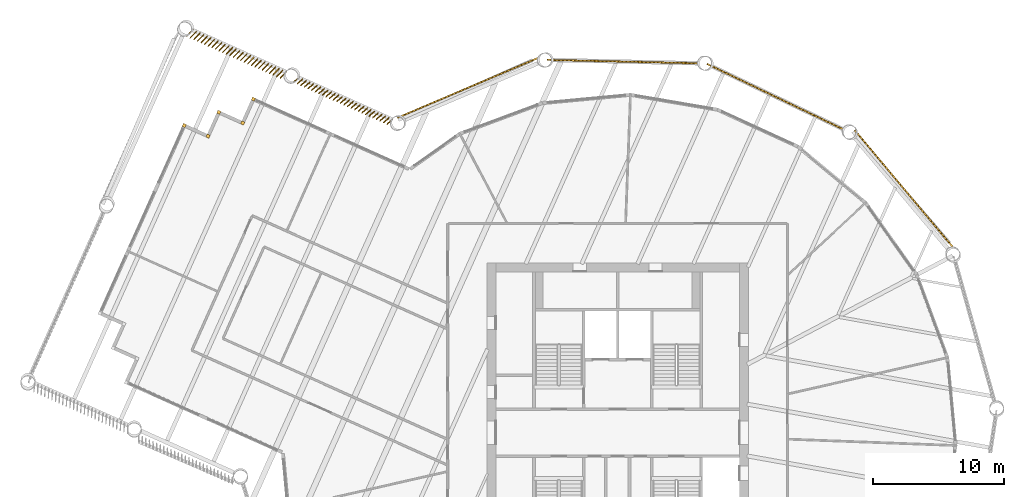
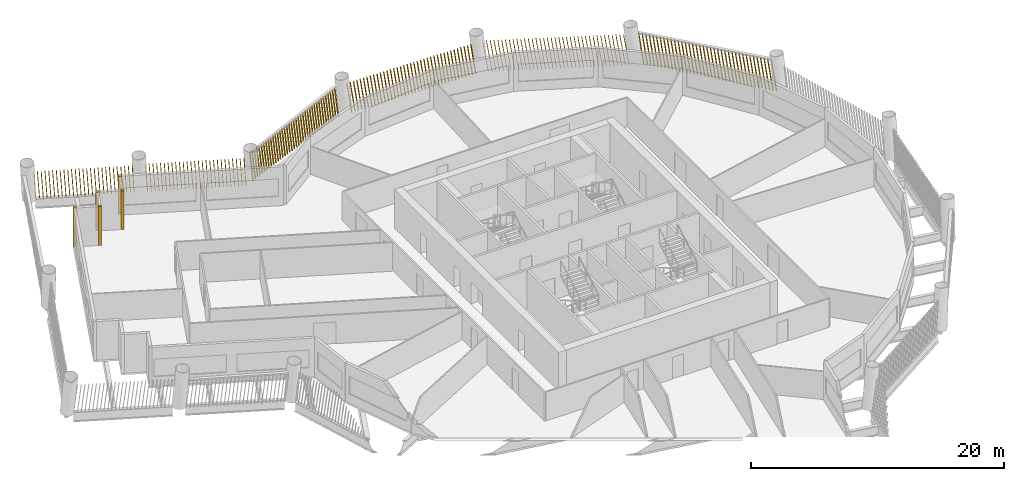
# One storey, part 13 of 14: 11 shading devices.
"""IFC4 building model written with IfcOpenShell, lengths in metres."""

from ifc_helpers import new_model, si_unit, direction, frame, frame_2d, origin, origin_2d, place, context, subcontext, project, spatial, rectangle, composite_profile, extrude, material, type_object, element, save


model = new_model("IFC4")

# Units and contexts
model_context = context("Model", 3, precision=1e-05, world=origin(), true_north=direction((0.0, 1.0)))
body_context = subcontext(model_context, "Body", "Model", "MODEL_VIEW")
ifc_project = project(units=[si_unit("LENGTHUNIT", "METRE"), si_unit("AREAUNIT", "SQUARE_METRE"), si_unit("VOLUMEUNIT", "CUBIC_METRE"), si_unit("PLANEANGLEUNIT", "RADIAN"), si_unit("MASSUNIT", "GRAM", prefix="KILO")], contexts=[model_context])

# Site, building, storey
site_placement = place(None, origin())
site = spatial("IfcSite", under=ifc_project, at=site_placement, CompositionType="ELEMENT")
building_placement = place(site_placement, origin())
building = spatial("IfcBuilding", under=site, at=building_placement, Name="Tarsis Ring Headquarters", CompositionType="ELEMENT")
storey_placement = place(building_placement, frame((0.0, 0.0, 182.699951171875)))
storey = spatial("IfcBuildingStorey", under=building, at=storey_placement, Name="L42", CompositionType="ELEMENT", Elevation=182.699951171875)

# Shading devices
ifc_material = material(Name="Terracotta baguette", Category="masonry")
shading_device_type_1 = type_object("IfcShadingDeviceType", Name="Terracotta baguette screen", PredefinedType="USERDEFINED", material=ifc_material)
shading_device_1_placement = place(storey_placement, frame((25.652099609375, 14.18994140625, 0.0), z_axis=(0.0, 0.0, 1.0), x_axis=(-0.64295170917, 0.76590341834, 0.0)))
element("IfcShadingDevice", 1, at=shading_device_1_placement, inside=storey, type_object=shading_device_type_1, Name="Baguette screen L42-11", ObjectType="Terracotta baguette screen", PredefinedType="USERDEFINED", context=body_context, shape_type="SweptSolid", body=[
    extrude(composite_profile([rectangle(XDim=0.06005859375, YDim=0.1201171875, at=frame_2d((0.030029296875, 0.0))), rectangle(XDim=0.06005859375, YDim=0.1201171875, at=frame_2d((0.33251953125, 0.0))), rectangle(XDim=0.06005859375, YDim=0.1201171875, at=frame_2d((0.634765625, 0.0))), rectangle(XDim=0.06005859375, YDim=0.1201171875, at=frame_2d((0.937255859375, 0.0))), rectangle(XDim=0.06005859375, YDim=0.1201171875, at=frame_2d((1.239501953125, 0.0))), rectangle(XDim=0.06005859375, YDim=0.1201171875, at=frame_2d((1.5419921875, 0.0))), rectangle(XDim=0.06005859375, YDim=0.1201171875, at=frame_2d((1.844482421875, 0.0))), rectangle(XDim=0.06005859375, YDim=0.1201171875, at=frame_2d((2.146728515625, 0.0))), rectangle(XDim=0.06005859375, YDim=0.1201171875, at=frame_2d((2.44921875, 0.0))), rectangle(XDim=0.06005859375, YDim=0.1201171875, at=frame_2d((2.751708984375, 0.0))), rectangle(XDim=0.06005859375, YDim=0.1201171875, at=frame_2d((3.053955078125, 0.0))), rectangle(XDim=0.06005859375, YDim=0.1201171875, at=frame_2d((3.3564453125, 0.0))), rectangle(XDim=0.06005859375, YDim=0.1201171875, at=frame_2d((3.65869140625, 0.0))), rectangle(XDim=0.06005859375, YDim=0.1201171875, at=frame_2d((3.961181640625, 0.0))), rectangle(XDim=0.06005859375, YDim=0.1201171875, at=frame_2d((4.263671875, 0.0))), rectangle(XDim=0.06005859375, YDim=0.1201171875, at=frame_2d((4.56591796875, 0.0))), rectangle(XDim=0.06005859375, YDim=0.1201171875, at=frame_2d((4.868408203125, 0.0))), rectangle(XDim=0.06005859375, YDim=0.1201171875, at=frame_2d((5.1708984375, 0.0))), rectangle(XDim=0.06005859375, YDim=0.1201171875, at=frame_2d((5.47314453125, 0.0))), rectangle(XDim=0.06005859375, YDim=0.1201171875, at=frame_2d((5.775634765625, 0.0))), rectangle(XDim=0.06005859375, YDim=0.1201171875, at=frame_2d((6.077880859375, 0.0))), rectangle(XDim=0.06005859375, YDim=0.1201171875, at=frame_2d((6.38037109375, 0.0))), rectangle(XDim=0.06005859375, YDim=0.1201171875, at=frame_2d((6.682861328125, 0.0))), rectangle(XDim=0.06005859375, YDim=0.1201171875, at=frame_2d((6.985107421875, 0.0))), rectangle(XDim=0.06005859375, YDim=0.1201171875, at=frame_2d((7.28759765625, 0.0))), rectangle(XDim=0.06005859375, YDim=0.1201171875, at=frame_2d((7.590087890625, 0.0))), rectangle(XDim=0.06005859375, YDim=0.1201171875, at=frame_2d((7.892333984375, 0.0))), rectangle(XDim=0.06005859375, YDim=0.1201171875, at=frame_2d((8.19482421875, 0.0))), rectangle(XDim=0.06005859375, YDim=0.1201171875, at=frame_2d((8.4970703125, 0.0))), rectangle(XDim=0.06005859375, YDim=0.1201171875, at=frame_2d((8.799560546875, 0.0))), rectangle(XDim=0.06005859375, YDim=0.1201171875, at=frame_2d((9.10205078125, 0.0))), rectangle(XDim=0.06005859375, YDim=0.1201171875, at=frame_2d((9.404296875, 0.0))), rectangle(XDim=0.06005859375, YDim=0.1201171875, at=frame_2d((9.706787109375, 0.0))), rectangle(XDim=0.06005859375, YDim=0.1201171875, at=frame_2d((10.00927734375, 0.0))), rectangle(XDim=0.06005859375, YDim=0.1201171875, at=frame_2d((10.3115234375, 0.0))), rectangle(XDim=0.06005859375, YDim=0.1201171875, at=frame_2d((10.614013671875, 0.0))), rectangle(XDim=0.06005859375, YDim=0.1201171875, at=frame_2d((10.916259765625, 0.0))), rectangle(XDim=0.06005859375, YDim=0.1201171875, at=frame_2d((11.21875, 0.0)))]), origin(), (0.15142452297, 0.001186314126, 0.988468111019), 2.984375),
])
shading_device_2_placement = place(storey_placement, frame((17.3603515625, 23.163818359375, 0.0), z_axis=(0.0, 0.0, 1.0), x_axis=(-0.901486706457, 0.43281606077, 0.0)))
element("IfcShadingDevice", 2, at=shading_device_2_placement, inside=storey, type_object=shading_device_type_1, Name="Baguette screen L42-12", ObjectType="Terracotta baguette screen", PredefinedType="USERDEFINED", context=body_context, shape_type="SweptSolid", body=[
    extrude(composite_profile([rectangle(XDim=0.06005859375, YDim=0.1201171875, at=frame_2d((0.030029296875, 0.0))), rectangle(XDim=0.06005859375, YDim=0.1201171875, at=frame_2d((0.33251953125, 0.0))), rectangle(XDim=0.06005859375, YDim=0.1201171875, at=frame_2d((0.634765625, 0.0))), rectangle(XDim=0.06005859375, YDim=0.1201171875, at=frame_2d((0.937255859375, 0.0))), rectangle(XDim=0.06005859375, YDim=0.1201171875, at=frame_2d((1.239501953125, 0.0))), rectangle(XDim=0.06005859375, YDim=0.1201171875, at=frame_2d((1.5419921875, 0.0))), rectangle(XDim=0.06005859375, YDim=0.1201171875, at=frame_2d((1.844482421875, 0.0))), rectangle(XDim=0.06005859375, YDim=0.1201171875, at=frame_2d((2.146728515625, 0.0))), rectangle(XDim=0.06005859375, YDim=0.1201171875, at=frame_2d((2.44921875, 0.0))), rectangle(XDim=0.06005859375, YDim=0.1201171875, at=frame_2d((2.751708984375, 0.0))), rectangle(XDim=0.06005859375, YDim=0.1201171875, at=frame_2d((3.053955078125, 0.0))), rectangle(XDim=0.06005859375, YDim=0.1201171875, at=frame_2d((3.3564453125, 0.0))), rectangle(XDim=0.06005859375, YDim=0.1201171875, at=frame_2d((3.65869140625, 0.0))), rectangle(XDim=0.06005859375, YDim=0.1201171875, at=frame_2d((3.961181640625, 0.0))), rectangle(XDim=0.06005859375, YDim=0.1201171875, at=frame_2d((4.263671875, 0.0))), rectangle(XDim=0.06005859375, YDim=0.1201171875, at=frame_2d((4.56591796875, 0.0))), rectangle(XDim=0.06005859375, YDim=0.1201171875, at=frame_2d((4.868408203125, 0.0))), rectangle(XDim=0.06005859375, YDim=0.1201171875, at=frame_2d((5.1708984375, 0.0))), rectangle(XDim=0.06005859375, YDim=0.1201171875, at=frame_2d((5.47314453125, 0.0))), rectangle(XDim=0.06005859375, YDim=0.1201171875, at=frame_2d((5.775634765625, 0.0))), rectangle(XDim=0.06005859375, YDim=0.1201171875, at=frame_2d((6.077880859375, 0.0))), rectangle(XDim=0.06005859375, YDim=0.1201171875, at=frame_2d((6.38037109375, 0.0))), rectangle(XDim=0.06005859375, YDim=0.1201171875, at=frame_2d((6.682861328125, 0.0))), rectangle(XDim=0.06005859375, YDim=0.1201171875, at=frame_2d((6.985107421875, 0.0))), rectangle(XDim=0.06005859375, YDim=0.1201171875, at=frame_2d((7.28759765625, 0.0))), rectangle(XDim=0.06005859375, YDim=0.1201171875, at=frame_2d((7.590087890625, 0.0))), rectangle(XDim=0.06005859375, YDim=0.1201171875, at=frame_2d((7.892333984375, 0.0))), rectangle(XDim=0.06005859375, YDim=0.1201171875, at=frame_2d((8.19482421875, 0.0))), rectangle(XDim=0.06005859375, YDim=0.1201171875, at=frame_2d((8.4970703125, 0.0))), rectangle(XDim=0.06005859375, YDim=0.1201171875, at=frame_2d((8.799560546875, 0.0))), rectangle(XDim=0.06005859375, YDim=0.1201171875, at=frame_2d((9.10205078125, 0.0))), rectangle(XDim=0.06005859375, YDim=0.1201171875, at=frame_2d((9.404296875, 0.0))), rectangle(XDim=0.06005859375, YDim=0.1201171875, at=frame_2d((9.706787109375, 0.0))), rectangle(XDim=0.06005859375, YDim=0.1201171875, at=frame_2d((10.00927734375, 0.0))), rectangle(XDim=0.06005859375, YDim=0.1201171875, at=frame_2d((10.3115234375, 0.0))), rectangle(XDim=0.06005859375, YDim=0.1201171875, at=frame_2d((10.614013671875, 0.0))), rectangle(XDim=0.06005859375, YDim=0.1201171875, at=frame_2d((10.916259765625, 0.0))), rectangle(XDim=0.06005859375, YDim=0.1201171875, at=frame_2d((11.21875, 0.0)))]), origin(), (0.149496191078, 0.001174041163, 0.988761604473), 2.9833984375),
])
shading_device_3_placement = place(storey_placement, frame((6.26904296875, 28.26025390625, 0.0), z_axis=(0.0, 0.0, 1.0), x_axis=(-0.999739555073, 0.022745523603, 0.0)))
element("IfcShadingDevice", 3, at=shading_device_3_placement, inside=storey, type_object=shading_device_type_1, Name="Baguette screen L42-13", ObjectType="Terracotta baguette screen", PredefinedType="USERDEFINED", context=body_context, shape_type="SweptSolid", body=[
    extrude(composite_profile([rectangle(XDim=0.06005859375, YDim=0.1201171875, at=frame_2d((0.030029296875, 0.0))), rectangle(XDim=0.06005859375, YDim=0.1201171875, at=frame_2d((0.33251953125, 0.0))), rectangle(XDim=0.06005859375, YDim=0.1201171875, at=frame_2d((0.634765625, 0.0))), rectangle(XDim=0.06005859375, YDim=0.1201171875, at=frame_2d((0.937255859375, 0.0))), rectangle(XDim=0.06005859375, YDim=0.1201171875, at=frame_2d((1.239501953125, 0.0))), rectangle(XDim=0.06005859375, YDim=0.1201171875, at=frame_2d((1.5419921875, 0.0))), rectangle(XDim=0.06005859375, YDim=0.1201171875, at=frame_2d((1.844482421875, 0.0))), rectangle(XDim=0.06005859375, YDim=0.1201171875, at=frame_2d((2.146728515625, 0.0))), rectangle(XDim=0.06005859375, YDim=0.1201171875, at=frame_2d((2.44921875, 0.0))), rectangle(XDim=0.06005859375, YDim=0.1201171875, at=frame_2d((2.751708984375, 0.0))), rectangle(XDim=0.06005859375, YDim=0.1201171875, at=frame_2d((3.053955078125, 0.0))), rectangle(XDim=0.06005859375, YDim=0.1201171875, at=frame_2d((3.3564453125, 0.0))), rectangle(XDim=0.06005859375, YDim=0.1201171875, at=frame_2d((3.65869140625, 0.0))), rectangle(XDim=0.06005859375, YDim=0.1201171875, at=frame_2d((3.961181640625, 0.0))), rectangle(XDim=0.06005859375, YDim=0.1201171875, at=frame_2d((4.263671875, 0.0))), rectangle(XDim=0.06005859375, YDim=0.1201171875, at=frame_2d((4.56591796875, 0.0))), rectangle(XDim=0.06005859375, YDim=0.1201171875, at=frame_2d((4.868408203125, 0.0))), rectangle(XDim=0.06005859375, YDim=0.1201171875, at=frame_2d((5.1708984375, 0.0))), rectangle(XDim=0.06005859375, YDim=0.1201171875, at=frame_2d((5.47314453125, 0.0))), rectangle(XDim=0.06005859375, YDim=0.1201171875, at=frame_2d((5.775634765625, 0.0))), rectangle(XDim=0.06005859375, YDim=0.1201171875, at=frame_2d((6.077880859375, 0.0))), rectangle(XDim=0.06005859375, YDim=0.1201171875, at=frame_2d((6.38037109375, 0.0))), rectangle(XDim=0.06005859375, YDim=0.1201171875, at=frame_2d((6.682861328125, 0.0))), rectangle(XDim=0.06005859375, YDim=0.1201171875, at=frame_2d((6.985107421875, 0.0))), rectangle(XDim=0.06005859375, YDim=0.1201171875, at=frame_2d((7.28759765625, 0.0))), rectangle(XDim=0.06005859375, YDim=0.1201171875, at=frame_2d((7.590087890625, 0.0))), rectangle(XDim=0.06005859375, YDim=0.1201171875, at=frame_2d((7.892333984375, 0.0))), rectangle(XDim=0.06005859375, YDim=0.1201171875, at=frame_2d((8.19482421875, 0.0))), rectangle(XDim=0.06005859375, YDim=0.1201171875, at=frame_2d((8.4970703125, 0.0))), rectangle(XDim=0.06005859375, YDim=0.1201171875, at=frame_2d((8.799560546875, 0.0))), rectangle(XDim=0.06005859375, YDim=0.1201171875, at=frame_2d((9.10205078125, 0.0))), rectangle(XDim=0.06005859375, YDim=0.1201171875, at=frame_2d((9.404296875, 0.0))), rectangle(XDim=0.06005859375, YDim=0.1201171875, at=frame_2d((9.706787109375, 0.0))), rectangle(XDim=0.06005859375, YDim=0.1201171875, at=frame_2d((10.00927734375, 0.0))), rectangle(XDim=0.06005859375, YDim=0.1201171875, at=frame_2d((10.3115234375, 0.0))), rectangle(XDim=0.06005859375, YDim=0.1201171875, at=frame_2d((10.614013671875, 0.0))), rectangle(XDim=0.06005859375, YDim=0.1201171875, at=frame_2d((10.916259765625, 0.0))), rectangle(XDim=0.06005859375, YDim=0.1201171875, at=frame_2d((11.21875, 0.0)))]), origin(), (0.149495546984, 0.001172732783, 0.98876170341), 2.9833984375),
])
shading_device_4_placement = place(storey_placement, frame((-6.083740234375, 28.677001953125, 0.0), z_axis=(0.0, 0.0, 1.0), x_axis=(-0.920238741183, -0.391361909929, 0.0)))
element("IfcShadingDevice", 4, at=shading_device_4_placement, inside=storey, type_object=shading_device_type_1, Name="Baguette screen L42-14", ObjectType="Terracotta baguette screen", PredefinedType="USERDEFINED", context=body_context, shape_type="SweptSolid", body=[
    extrude(composite_profile([rectangle(XDim=0.06005859375, YDim=0.1201171875, at=frame_2d((0.030029296875, 0.0))), rectangle(XDim=0.06005859375, YDim=0.1201171875, at=frame_2d((0.33251953125, 0.0))), rectangle(XDim=0.06005859375, YDim=0.1201171875, at=frame_2d((0.634765625, 0.0))), rectangle(XDim=0.06005859375, YDim=0.1201171875, at=frame_2d((0.937255859375, 0.0))), rectangle(XDim=0.06005859375, YDim=0.1201171875, at=frame_2d((1.239501953125, 0.0))), rectangle(XDim=0.06005859375, YDim=0.1201171875, at=frame_2d((1.5419921875, 0.0))), rectangle(XDim=0.06005859375, YDim=0.1201171875, at=frame_2d((1.844482421875, 0.0))), rectangle(XDim=0.06005859375, YDim=0.1201171875, at=frame_2d((2.146728515625, 0.0))), rectangle(XDim=0.06005859375, YDim=0.1201171875, at=frame_2d((2.44921875, 0.0))), rectangle(XDim=0.06005859375, YDim=0.1201171875, at=frame_2d((2.751708984375, 0.0))), rectangle(XDim=0.06005859375, YDim=0.1201171875, at=frame_2d((3.053955078125, 0.0))), rectangle(XDim=0.06005859375, YDim=0.1201171875, at=frame_2d((3.3564453125, 0.0))), rectangle(XDim=0.06005859375, YDim=0.1201171875, at=frame_2d((3.65869140625, 0.0))), rectangle(XDim=0.06005859375, YDim=0.1201171875, at=frame_2d((3.961181640625, 0.0))), rectangle(XDim=0.06005859375, YDim=0.1201171875, at=frame_2d((4.263671875, 0.0))), rectangle(XDim=0.06005859375, YDim=0.1201171875, at=frame_2d((4.56591796875, 0.0))), rectangle(XDim=0.06005859375, YDim=0.1201171875, at=frame_2d((4.868408203125, 0.0))), rectangle(XDim=0.06005859375, YDim=0.1201171875, at=frame_2d((5.1708984375, 0.0))), rectangle(XDim=0.06005859375, YDim=0.1201171875, at=frame_2d((5.47314453125, 0.0))), rectangle(XDim=0.06005859375, YDim=0.1201171875, at=frame_2d((5.775634765625, 0.0))), rectangle(XDim=0.06005859375, YDim=0.1201171875, at=frame_2d((6.077880859375, 0.0))), rectangle(XDim=0.06005859375, YDim=0.1201171875, at=frame_2d((6.38037109375, 0.0))), rectangle(XDim=0.06005859375, YDim=0.1201171875, at=frame_2d((6.682861328125, 0.0))), rectangle(XDim=0.06005859375, YDim=0.1201171875, at=frame_2d((6.985107421875, 0.0))), rectangle(XDim=0.06005859375, YDim=0.1201171875, at=frame_2d((7.28759765625, 0.0))), rectangle(XDim=0.06005859375, YDim=0.1201171875, at=frame_2d((7.590087890625, 0.0))), rectangle(XDim=0.06005859375, YDim=0.1201171875, at=frame_2d((7.892333984375, 0.0))), rectangle(XDim=0.06005859375, YDim=0.1201171875, at=frame_2d((8.19482421875, 0.0))), rectangle(XDim=0.06005859375, YDim=0.1201171875, at=frame_2d((8.4970703125, 0.0))), rectangle(XDim=0.06005859375, YDim=0.1201171875, at=frame_2d((8.799560546875, 0.0))), rectangle(XDim=0.06005859375, YDim=0.1201171875, at=frame_2d((9.10205078125, 0.0))), rectangle(XDim=0.06005859375, YDim=0.1201171875, at=frame_2d((9.404296875, 0.0))), rectangle(XDim=0.06005859375, YDim=0.1201171875, at=frame_2d((9.706787109375, 0.0))), rectangle(XDim=0.06005859375, YDim=0.1201171875, at=frame_2d((10.00927734375, 0.0))), rectangle(XDim=0.06005859375, YDim=0.1201171875, at=frame_2d((10.3115234375, 0.0))), rectangle(XDim=0.06005859375, YDim=0.1201171875, at=frame_2d((10.614013671875, 0.0))), rectangle(XDim=0.06005859375, YDim=0.1201171875, at=frame_2d((10.916259765625, 0.0))), rectangle(XDim=0.06005859375, YDim=0.1201171875, at=frame_2d((11.21875, 0.0)))]), origin(), (0.151425360839, 0.001188029147, 0.988467980605), 2.984375),
])
shading_device_5_placement = place(storey_placement, frame((-17.204833984375, 23.9384765625, 0.0), z_axis=(0.0, 0.0, 1.0), x_axis=(-0.912410788766, 0.4093057744, 0.0)))
element("IfcShadingDevice", 5, at=shading_device_5_placement, inside=storey, type_object=shading_device_type_1, Name="Baguette screen L42-15", ObjectType="Terracotta baguette screen", PredefinedType="USERDEFINED", context=body_context, shape_type="SweptSolid", body=[
    extrude(composite_profile([rectangle(XDim=0.06005859375, YDim=0.1201171875, at=frame_2d((0.030029296875, 0.0))), rectangle(XDim=0.06005859375, YDim=0.1201171875, at=frame_2d((0.33154296875, 0.0))), rectangle(XDim=0.06005859375, YDim=0.1201171875, at=frame_2d((0.63330078125, 0.0))), rectangle(XDim=0.06005859375, YDim=0.1201171875, at=frame_2d((0.934814453125, 0.0))), rectangle(XDim=0.06005859375, YDim=0.1201171875, at=frame_2d((1.236572265625, 0.0))), rectangle(XDim=0.06005859375, YDim=0.1201171875, at=frame_2d((1.5380859375, 0.0))), rectangle(XDim=0.06005859375, YDim=0.1201171875, at=frame_2d((1.83984375, 0.0))), rectangle(XDim=0.06005859375, YDim=0.1201171875, at=frame_2d((2.141357421875, 0.0))), rectangle(XDim=0.06005859375, YDim=0.1201171875, at=frame_2d((2.443115234375, 0.0))), rectangle(XDim=0.06005859375, YDim=0.1201171875, at=frame_2d((2.74462890625, 0.0))), rectangle(XDim=0.06005859375, YDim=0.1201171875, at=frame_2d((3.04638671875, 0.0))), rectangle(XDim=0.06005859375, YDim=0.1201171875, at=frame_2d((3.347900390625, 0.0))), rectangle(XDim=0.06005859375, YDim=0.1201171875, at=frame_2d((3.649658203125, 0.0))), rectangle(XDim=0.06005859375, YDim=0.1201171875, at=frame_2d((3.951171875, 0.0))), rectangle(XDim=0.06005859375, YDim=0.1201171875, at=frame_2d((4.252685546875, 0.0))), rectangle(XDim=0.06005859375, YDim=0.1201171875, at=frame_2d((4.554443359375, 0.0))), rectangle(XDim=0.06005859375, YDim=0.1201171875, at=frame_2d((4.85595703125, 0.0))), rectangle(XDim=0.06005859375, YDim=0.1201171875, at=frame_2d((5.15771484375, 0.0))), rectangle(XDim=0.06005859375, YDim=0.1201171875, at=frame_2d((5.459228515625, 0.0))), rectangle(XDim=0.06005859375, YDim=0.1201171875, at=frame_2d((5.760986328125, 0.0))), rectangle(XDim=0.06005859375, YDim=0.1201171875, at=frame_2d((6.0625, 0.0))), rectangle(XDim=0.06005859375, YDim=0.1201171875, at=frame_2d((6.3642578125, 0.0))), rectangle(XDim=0.06005859375, YDim=0.1201171875, at=frame_2d((6.665771484375, 0.0))), rectangle(XDim=0.06005859375, YDim=0.1201171875, at=frame_2d((6.967529296875, 0.0))), rectangle(XDim=0.06005859375, YDim=0.1201171875, at=frame_2d((7.26904296875, 0.0))), rectangle(XDim=0.06005859375, YDim=0.1201171875, at=frame_2d((7.57080078125, 0.0))), rectangle(XDim=0.06005859375, YDim=0.1201171875, at=frame_2d((7.872314453125, 0.0)))]), origin(), (0.076403385453, 0.155044479886, 0.984948593556), 2.9951171875),
])
shading_device_6_placement = place(storey_placement, frame((-25.327392578125, 27.58203125, 0.0), z_axis=(0.0, 0.0, 1.0), x_axis=(-0.912410788766, 0.4093057744, 0.0)))
element("IfcShadingDevice", 6, at=shading_device_6_placement, inside=storey, type_object=shading_device_type_1, Name="Baguette screen L42-16", ObjectType="Terracotta baguette screen", PredefinedType="USERDEFINED", context=body_context, shape_type="SweptSolid", body=[
    extrude(composite_profile([rectangle(XDim=0.06005859375, YDim=0.1201171875, at=frame_2d((0.030029296875, 0.0))), rectangle(XDim=0.06005859375, YDim=0.1201171875, at=frame_2d((0.33154296875, 0.0))), rectangle(XDim=0.06005859375, YDim=0.1201171875, at=frame_2d((0.63330078125, 0.0))), rectangle(XDim=0.06005859375, YDim=0.1201171875, at=frame_2d((0.934814453125, 0.0))), rectangle(XDim=0.06005859375, YDim=0.1201171875, at=frame_2d((1.236572265625, 0.0))), rectangle(XDim=0.06005859375, YDim=0.1201171875, at=frame_2d((1.5380859375, 0.0))), rectangle(XDim=0.06005859375, YDim=0.1201171875, at=frame_2d((1.83984375, 0.0))), rectangle(XDim=0.06005859375, YDim=0.1201171875, at=frame_2d((2.141357421875, 0.0))), rectangle(XDim=0.06005859375, YDim=0.1201171875, at=frame_2d((2.443115234375, 0.0))), rectangle(XDim=0.06005859375, YDim=0.1201171875, at=frame_2d((2.74462890625, 0.0))), rectangle(XDim=0.06005859375, YDim=0.1201171875, at=frame_2d((3.04638671875, 0.0))), rectangle(XDim=0.06005859375, YDim=0.1201171875, at=frame_2d((3.347900390625, 0.0))), rectangle(XDim=0.06005859375, YDim=0.1201171875, at=frame_2d((3.649658203125, 0.0))), rectangle(XDim=0.06005859375, YDim=0.1201171875, at=frame_2d((3.951171875, 0.0))), rectangle(XDim=0.06005859375, YDim=0.1201171875, at=frame_2d((4.252685546875, 0.0))), rectangle(XDim=0.06005859375, YDim=0.1201171875, at=frame_2d((4.554443359375, 0.0))), rectangle(XDim=0.06005859375, YDim=0.1201171875, at=frame_2d((4.85595703125, 0.0))), rectangle(XDim=0.06005859375, YDim=0.1201171875, at=frame_2d((5.15771484375, 0.0))), rectangle(XDim=0.06005859375, YDim=0.1201171875, at=frame_2d((5.459228515625, 0.0))), rectangle(XDim=0.06005859375, YDim=0.1201171875, at=frame_2d((5.760986328125, 0.0))), rectangle(XDim=0.06005859375, YDim=0.1201171875, at=frame_2d((6.0625, 0.0))), rectangle(XDim=0.06005859375, YDim=0.1201171875, at=frame_2d((6.3642578125, 0.0))), rectangle(XDim=0.06005859375, YDim=0.1201171875, at=frame_2d((6.665771484375, 0.0))), rectangle(XDim=0.06005859375, YDim=0.1201171875, at=frame_2d((6.967529296875, 0.0))), rectangle(XDim=0.06005859375, YDim=0.1201171875, at=frame_2d((7.26904296875, 0.0))), rectangle(XDim=0.06005859375, YDim=0.1201171875, at=frame_2d((7.57080078125, 0.0))), rectangle(XDim=0.06005859375, YDim=0.1201171875, at=frame_2d((7.872314453125, 0.0)))]), origin(), (0.075412756068, 0.200078456587, 0.976873342574), 3.019775390625),
])
shading_device_type_2 = type_object("IfcShadingDeviceType", Name="Terracotta corner baguette 250x250", PredefinedType="USERDEFINED", material=ifc_material)
for number, where, z_axis, x_axis, name in (
    (7, (-27.872314453125, 25.51806640625, 0.0), (0.0, 0.0, 1.0), (-0.912406074136, 0.40928615403, 0.0), "Corner baguette L42-32"),
    (8, (-28.69091796875, 23.693115234375, 0.0), (0.0, 0.0, 1.0), (-0.409286281425, -0.912406016989, 0.0), "Corner baguette L42-33"),
    (9, (-30.515625, 24.51171875, 0.0), (0.0, 0.0, 1.0), (-0.912406116996, 0.409286058483, 0.0), "Corner baguette L42-34"),
    (10, (-31.334228515625, 22.68701171875, 0.0), (0.0, 0.0, 1.0), (-0.409285644446, -0.912406302724, 0.0), "Corner baguette L42-35"),
    (11, (-33.1591796875, 23.50537109375, 0.0), (0.0, 0.0, 1.0), (-0.912406016989, 0.409286281425, 0.0), "Corner baguette L42-36"),
):
    element("IfcShadingDevice", number, at=place(storey_placement, frame(where, z_axis=z_axis, x_axis=x_axis)), inside=storey, type_object=shading_device_type_2, Name=name, ObjectType="Terracotta corner baguette", PredefinedType="USERDEFINED", context=body_context, shape_type="SweptSolid", body=[
        extrude(rectangle(XDim=0.25, YDim=0.25, at=origin_2d()), origin(), (0.0, 0.0, 1.0), 3.739990234375),
    ])

save(model, "model.ifc")
